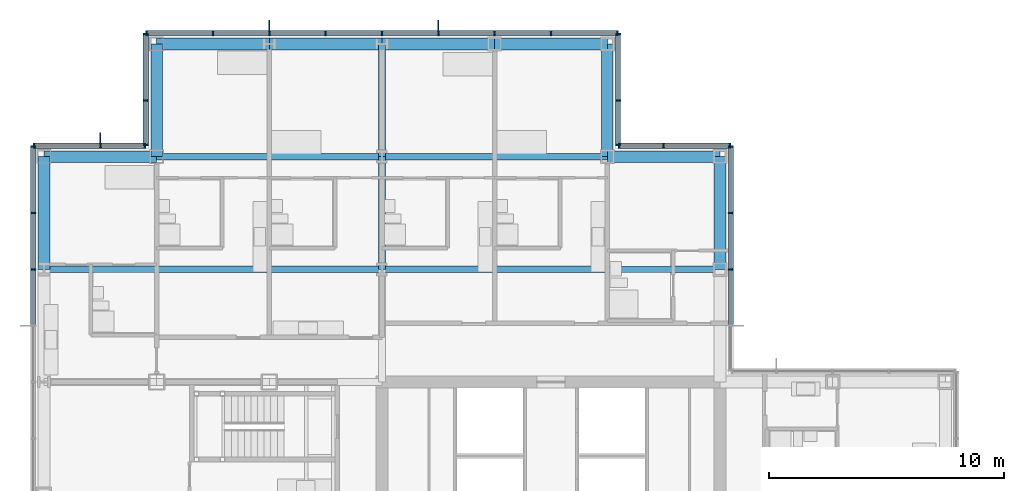
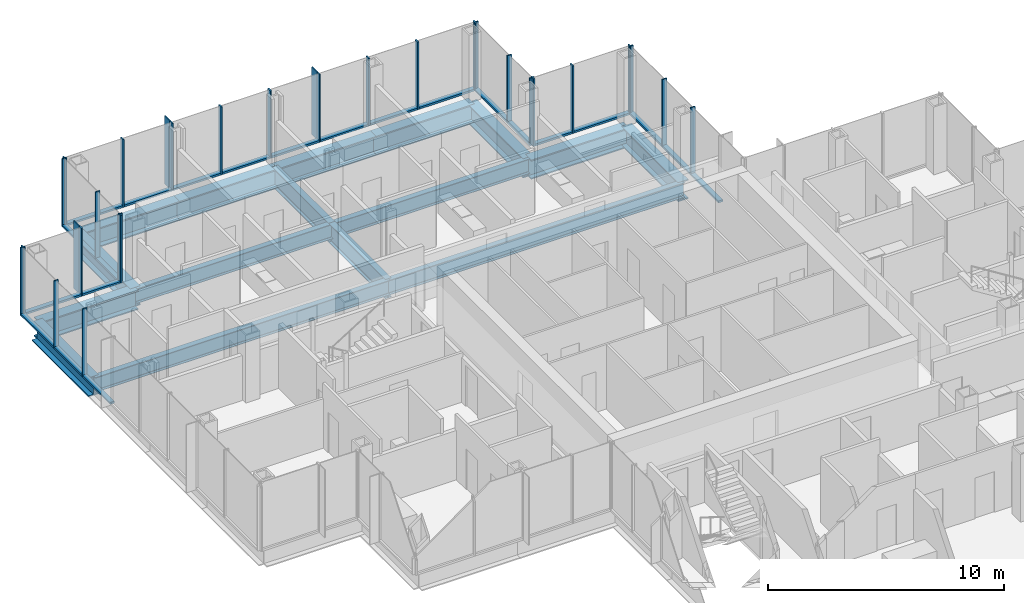
# One storey, part 10 of 19: 52 members, 16 beams, 7 elements without a shape of their own.
"""IFC4 building model written with IfcOpenShell, lengths in metres."""

from ifc_helpers import new_model, si_unit, direction, frame, origin, origin_2d, place, context, subcontext, project, spatial, rectangle, i_section, extrude, material, material_profile, profile_set, type_object, element, aggregate, save


model = new_model("IFC4")

# Units and contexts
model_context = context("Model", 3, precision=1e-05, world=origin(), true_north=direction((0.0, 1.0)))
body_context = subcontext(model_context, "Body", "Model", "MODEL_VIEW")
ifc_project = project(units=[si_unit("LENGTHUNIT", "METRE"), si_unit("AREAUNIT", "SQUARE_METRE"), si_unit("VOLUMEUNIT", "CUBIC_METRE"), si_unit("PLANEANGLEUNIT", "RADIAN"), si_unit("MASSUNIT", "GRAM", prefix="KILO")], contexts=[model_context])

# Site, building, storey
site_placement = place(None, origin())
site = spatial("IfcSite", under=ifc_project, at=site_placement, CompositionType="ELEMENT")
building_placement = place(site_placement, origin())
building = spatial("IfcBuilding", under=site, at=building_placement, Name="Kvirike Care Tower", CompositionType="ELEMENT")
storey_placement = place(building_placement, frame((0.0, 0.0, 87.5)))
storey = spatial("IfcBuildingStorey", under=building, at=storey_placement, Name="L23", CompositionType="ELEMENT", Elevation=87.5)

# Curtain wall, members
ifc_material_1 = material(Name="Anodised aluminium stick system", Category="aluminium")
curtain_wall_type = type_object("IfcCurtainWallType", Name="CW-B STICK CURTAIN WALL", PredefinedType="NOTDEFINED", material=ifc_material_1)
curtain_wall_1_placement = place(storey_placement, origin())
curtain_wall_1 = element("IfcCurtainWall", 1, at=curtain_wall_1_placement, inside=storey, type_object=curtain_wall_type, Name="Curtain wall L23 face 8", PredefinedType="NOTDEFINED")
ifc_material_2 = material(Name="Bronze anodised aluminium fin", Category="aluminium")
ifc_material_profile_1 = material_profile(ifc_material_2, rectangle(XDim=0.050048828125, YDim=0.449951171875, at=origin_2d()), Name="BRONZE FIN 450")
ifc_profile_set_1 = profile_set([ifc_material_profile_1], Name="Bronze anodised aluminium fin")
member_type_1 = type_object("IfcMemberType", Name="BRONZE FIN 450", PredefinedType="USERDEFINED", material=ifc_profile_set_1)
member_1_placement = place(storey_placement, frame((16.800048828125, 58.39501953125, 0.0), z_axis=(0.0, 0.0, 1.0), x_axis=(-1.0, 0.0, 0.0)))
member_1 = element("IfcMember", 2, at=member_1_placement, type_object=member_type_1, Name="Bronze fin L23 face 8.4", ObjectType="FIN", PredefinedType="USERDEFINED", context=body_context, shape_type="SweptSolid", body=[
    extrude(rectangle(XDim=0.050048828125, YDim=0.449951171875, at=origin_2d()), origin(), (0.0, 0.0, 1.0), 3.5),
])
member_2_placement = place(storey_placement, frame((9.60009765625, 58.39501953125, 0.0), z_axis=(0.0, 0.0, 1.0), x_axis=(-1.0, 0.0, 0.0)))
member_2 = element("IfcMember", 3, at=member_2_placement, type_object=member_type_1, Name="Bronze fin L23 face 8.7", ObjectType="FIN", PredefinedType="USERDEFINED", context=body_context, shape_type="SweptSolid", body=[
    extrude(rectangle(XDim=0.050048828125, YDim=0.449951171875, at=origin_2d()), origin(), (0.0, 0.0, 1.0), 3.5),
])

# Curtain wall, member
curtain_wall_2_placement = place(storey_placement, origin())
curtain_wall_2 = element("IfcCurtainWall", 4, at=curtain_wall_2_placement, inside=storey, type_object=curtain_wall_type, Name="Curtain wall L23 face 10", PredefinedType="NOTDEFINED")
member_3_placement = place(storey_placement, frame((2.39990234375, 53.594970703125, 0.0), z_axis=(0.0, 0.0, 1.0), x_axis=(-1.0, 0.0, 0.0)))
member_3 = element("IfcMember", 5, at=member_3_placement, type_object=member_type_1, Name="Bronze fin L23 face 10.2", ObjectType="FIN", PredefinedType="USERDEFINED", context=body_context, shape_type="SweptSolid", body=[
    extrude(rectangle(XDim=0.050048828125, YDim=0.449951171875, at=origin_2d()), origin(), (0.0, 0.0, 1.0), 3.5),
])

# Curtain wall, members
curtain_wall_3_placement = place(storey_placement, origin())
curtain_wall_3 = element("IfcCurtainWall", 6, at=curtain_wall_3_placement, inside=storey, type_object=curtain_wall_type, Name="Curtain wall L23 face 5", PredefinedType="NOTDEFINED")
ifc_material_3 = material(Name="Bronze anodised aluminium mullion", Category="aluminium")
ifc_material_profile_2 = material_profile(ifc_material_3, rectangle(XDim=0.06494140625, YDim=0.219970703125, at=origin_2d()), Name="CW-B MULLION 65x220")
ifc_profile_set_2 = profile_set([ifc_material_profile_2], Name="Bronze anodised aluminium mullion")
member_type_2 = type_object("IfcMemberType", Name="CW-B MULLION 65x220", PredefinedType="MULLION", material=ifc_profile_set_2)
member_4_placement = place(storey_placement, frame((29.260009765625, 48.0, 0.0), z_axis=(0.0, 0.0, 1.0), x_axis=(0.0, 1.0, 0.0)))
member_4 = element("IfcMember", 7, at=member_4_placement, type_object=member_type_2, Name="CW-B mullion L23 face 5.3", PredefinedType="MULLION", context=body_context, shape_type="SweptSolid", body=[
    extrude(rectangle(XDim=0.06494140625, YDim=0.219970703125, at=origin_2d()), origin(), (0.0, 0.0, 1.0), 3.5),
])
member_5_placement = place(storey_placement, frame((29.260009765625, 50.39990234375, 0.0), z_axis=(0.0, 0.0, 1.0), x_axis=(0.0, 1.0, 0.0)))
member_5 = element("IfcMember", 8, at=member_5_placement, type_object=member_type_2, Name="CW-B mullion L23 face 5.4", PredefinedType="MULLION", context=body_context, shape_type="SweptSolid", body=[
    extrude(rectangle(XDim=0.06494140625, YDim=0.219970703125, at=origin_2d()), origin(), (0.0, 0.0, 1.0), 3.5),
])
member_6_placement = place(storey_placement, frame((29.260009765625, 53.2275390625, 0.0), z_axis=(0.0, 0.0, 1.0), x_axis=(0.0, 1.0, 0.0)))
member_6 = element("IfcMember", 9, at=member_6_placement, type_object=member_type_2, Name="CW-B mullion L23 face 5.5", PredefinedType="MULLION", context=body_context, shape_type="SweptSolid", body=[
    extrude(rectangle(XDim=0.06494140625, YDim=0.219970703125, at=origin_2d()), origin(), (0.0, 0.0, 1.0), 3.5),
])

curtain_wall_4_placement = place(storey_placement, origin())
curtain_wall_4 = element("IfcCurtainWall", 10, at=curtain_wall_4_placement, inside=storey, type_object=curtain_wall_type, Name="Curtain wall L23 face 6", PredefinedType="NOTDEFINED")
member_7_placement = place(storey_placement, frame((29.2275390625, 53.260009765625, 0.0), z_axis=(0.0, 0.0, 1.0), x_axis=(-1.0, 0.0, 0.0)))
member_7 = element("IfcMember", 11, at=member_7_placement, type_object=member_type_2, Name="CW-B mullion L23 face 6.1", PredefinedType="MULLION", context=body_context, shape_type="SweptSolid", body=[
    extrude(rectangle(XDim=0.06494140625, YDim=0.219970703125, at=origin_2d()), origin(), (0.0, 0.0, 1.0), 3.5),
])
member_8_placement = place(storey_placement, frame((26.39990234375, 53.260009765625, 0.0), z_axis=(0.0, 0.0, 1.0), x_axis=(-1.0, 0.0, 0.0)))
member_8 = element("IfcMember", 12, at=member_8_placement, type_object=member_type_2, Name="CW-B mullion L23 face 6.2", PredefinedType="MULLION", context=body_context, shape_type="SweptSolid", body=[
    extrude(rectangle(XDim=0.06494140625, YDim=0.219970703125, at=origin_2d()), origin(), (0.0, 0.0, 1.0), 3.5),
])
member_9_placement = place(storey_placement, frame((24.492431640625, 53.260009765625, 0.0), z_axis=(0.0, 0.0, 1.0), x_axis=(-1.0, 0.0, 0.0)))
member_9 = element("IfcMember", 13, at=member_9_placement, type_object=member_type_2, Name="CW-B mullion L23 face 6.3", PredefinedType="MULLION", context=body_context, shape_type="SweptSolid", body=[
    extrude(rectangle(XDim=0.06494140625, YDim=0.219970703125, at=origin_2d()), origin(), (0.0, 0.0, 1.0), 3.5),
])

curtain_wall_5_placement = place(storey_placement, origin())
curtain_wall_5 = element("IfcCurtainWall", 14, at=curtain_wall_5_placement, inside=storey, type_object=curtain_wall_type, Name="Curtain wall L23 face 7", PredefinedType="NOTDEFINED")
member_10_placement = place(storey_placement, frame((24.4599609375, 53.29248046875, 0.0), z_axis=(0.0, 0.0, 1.0), x_axis=(0.0, 1.0, 0.0)))
member_10 = element("IfcMember", 15, at=member_10_placement, type_object=member_type_2, Name="CW-B mullion L23 face 7.1", PredefinedType="MULLION", context=body_context, shape_type="SweptSolid", body=[
    extrude(rectangle(XDim=0.06494140625, YDim=0.219970703125, at=origin_2d()), origin(), (0.0, 0.0, 1.0), 3.5),
])
member_11_placement = place(storey_placement, frame((24.4599609375, 55.199951171875, 0.0), z_axis=(0.0, 0.0, 1.0), x_axis=(0.0, 1.0, 0.0)))
member_11 = element("IfcMember", 16, at=member_11_placement, type_object=member_type_2, Name="CW-B mullion L23 face 7.2", PredefinedType="MULLION", context=body_context, shape_type="SweptSolid", body=[
    extrude(rectangle(XDim=0.06494140625, YDim=0.219970703125, at=origin_2d()), origin(), (0.0, 0.0, 1.0), 3.5),
])
member_12_placement = place(storey_placement, frame((24.4599609375, 58.027587890625, 0.0), z_axis=(0.0, 0.0, 1.0), x_axis=(0.0, 1.0, 0.0)))
member_12 = element("IfcMember", 17, at=member_12_placement, type_object=member_type_2, Name="CW-B mullion L23 face 7.3", PredefinedType="MULLION", context=body_context, shape_type="SweptSolid", body=[
    extrude(rectangle(XDim=0.06494140625, YDim=0.219970703125, at=origin_2d()), origin(), (0.0, 0.0, 1.0), 3.5),
])

# Member
member_13_placement = place(storey_placement, frame((24.427490234375, 58.06005859375, 0.0), z_axis=(0.0, 0.0, 1.0), x_axis=(-1.0, 0.0, 0.0)))
member_13 = element("IfcMember", 18, at=member_13_placement, type_object=member_type_2, Name="CW-B mullion L23 face 8.1", PredefinedType="MULLION", context=body_context, shape_type="SweptSolid", body=[
    extrude(rectangle(XDim=0.06494140625, YDim=0.219970703125, at=origin_2d()), origin(), (0.0, 0.0, 1.0), 3.5),
])

member_14_placement = place(storey_placement, frame((21.60009765625, 58.06005859375, 0.0), z_axis=(0.0, 0.0, 1.0), x_axis=(-1.0, 0.0, 0.0)))
member_14 = element("IfcMember", 19, at=member_14_placement, type_object=member_type_2, Name="CW-B mullion L23 face 8.2", PredefinedType="MULLION", context=body_context, shape_type="SweptSolid", body=[
    extrude(rectangle(XDim=0.06494140625, YDim=0.219970703125, at=origin_2d()), origin(), (0.0, 0.0, 1.0), 3.5),
])

member_15_placement = place(storey_placement, frame((19.199951171875, 58.06005859375, 0.0), z_axis=(0.0, 0.0, 1.0), x_axis=(-1.0, 0.0, 0.0)))
member_15 = element("IfcMember", 20, at=member_15_placement, type_object=member_type_2, Name="CW-B mullion L23 face 8.3", PredefinedType="MULLION", context=body_context, shape_type="SweptSolid", body=[
    extrude(rectangle(XDim=0.06494140625, YDim=0.219970703125, at=origin_2d()), origin(), (0.0, 0.0, 1.0), 3.5),
])

member_16_placement = place(storey_placement, frame((16.800048828125, 58.06005859375, 0.0), z_axis=(0.0, 0.0, 1.0), x_axis=(-1.0, 0.0, 0.0)))
member_16 = element("IfcMember", 21, at=member_16_placement, type_object=member_type_2, Name="CW-B mullion L23 face 8.4", PredefinedType="MULLION", context=body_context, shape_type="SweptSolid", body=[
    extrude(rectangle(XDim=0.06494140625, YDim=0.219970703125, at=origin_2d()), origin(), (0.0, 0.0, 1.0), 3.5),
])

member_17_placement = place(storey_placement, frame((14.39990234375, 58.06005859375, 0.0), z_axis=(0.0, 0.0, 1.0), x_axis=(-1.0, 0.0, 0.0)))
member_17 = element("IfcMember", 22, at=member_17_placement, type_object=member_type_2, Name="CW-B mullion L23 face 8.5", PredefinedType="MULLION", context=body_context, shape_type="SweptSolid", body=[
    extrude(rectangle(XDim=0.06494140625, YDim=0.219970703125, at=origin_2d()), origin(), (0.0, 0.0, 1.0), 3.5),
])

member_18_placement = place(storey_placement, frame((12.0, 58.06005859375, 0.0), z_axis=(0.0, 0.0, 1.0), x_axis=(-1.0, 0.0, 0.0)))
member_18 = element("IfcMember", 23, at=member_18_placement, type_object=member_type_2, Name="CW-B mullion L23 face 8.6", PredefinedType="MULLION", context=body_context, shape_type="SweptSolid", body=[
    extrude(rectangle(XDim=0.06494140625, YDim=0.219970703125, at=origin_2d()), origin(), (0.0, 0.0, 1.0), 3.5),
])

member_19_placement = place(storey_placement, frame((9.60009765625, 58.06005859375, 0.0), z_axis=(0.0, 0.0, 1.0), x_axis=(-1.0, 0.0, 0.0)))
member_19 = element("IfcMember", 24, at=member_19_placement, type_object=member_type_2, Name="CW-B mullion L23 face 8.7", PredefinedType="MULLION", context=body_context, shape_type="SweptSolid", body=[
    extrude(rectangle(XDim=0.06494140625, YDim=0.219970703125, at=origin_2d()), origin(), (0.0, 0.0, 1.0), 3.5),
])

member_20_placement = place(storey_placement, frame((7.199951171875, 58.06005859375, 0.0), z_axis=(0.0, 0.0, 1.0), x_axis=(-1.0, 0.0, 0.0)))
member_20 = element("IfcMember", 25, at=member_20_placement, type_object=member_type_2, Name="CW-B mullion L23 face 8.8", PredefinedType="MULLION", context=body_context, shape_type="SweptSolid", body=[
    extrude(rectangle(XDim=0.06494140625, YDim=0.219970703125, at=origin_2d()), origin(), (0.0, 0.0, 1.0), 3.5),
])

member_21_placement = place(storey_placement, frame((4.37255859375, 58.06005859375, 0.0), z_axis=(0.0, 0.0, 1.0), x_axis=(-1.0, 0.0, 0.0)))
member_21 = element("IfcMember", 26, at=member_21_placement, type_object=member_type_2, Name="CW-B mullion L23 face 8.9", PredefinedType="MULLION", context=body_context, shape_type="SweptSolid", body=[
    extrude(rectangle(XDim=0.06494140625, YDim=0.219970703125, at=origin_2d()), origin(), (0.0, 0.0, 1.0), 3.5),
])

# Curtain wall, members
curtain_wall_6_placement = place(storey_placement, origin())
curtain_wall_6 = element("IfcCurtainWall", 27, at=curtain_wall_6_placement, inside=storey, type_object=curtain_wall_type, Name="Curtain wall L23 face 9", PredefinedType="NOTDEFINED")
member_22_placement = place(storey_placement, frame((4.340087890625, 58.027587890625, 0.0), z_axis=(0.0, 0.0, 1.0), x_axis=(0.0, -1.0, 0.0)))
member_22 = element("IfcMember", 28, at=member_22_placement, type_object=member_type_2, Name="CW-B mullion L23 face 9.1", PredefinedType="MULLION", context=body_context, shape_type="SweptSolid", body=[
    extrude(rectangle(XDim=0.06494140625, YDim=0.219970703125, at=origin_2d()), origin(), (0.0, 0.0, 1.0), 3.5),
])
member_23_placement = place(storey_placement, frame((4.340087890625, 55.199951171875, 0.0), z_axis=(0.0, 0.0, 1.0), x_axis=(0.0, -1.0, 0.0)))
member_23 = element("IfcMember", 29, at=member_23_placement, type_object=member_type_2, Name="CW-B mullion L23 face 9.2", PredefinedType="MULLION", context=body_context, shape_type="SweptSolid", body=[
    extrude(rectangle(XDim=0.06494140625, YDim=0.219970703125, at=origin_2d()), origin(), (0.0, 0.0, 1.0), 3.5),
])
member_24_placement = place(storey_placement, frame((4.340087890625, 53.29248046875, 0.0), z_axis=(0.0, 0.0, 1.0), x_axis=(0.0, -1.0, 0.0)))
member_24 = element("IfcMember", 30, at=member_24_placement, type_object=member_type_2, Name="CW-B mullion L23 face 9.3", PredefinedType="MULLION", context=body_context, shape_type="SweptSolid", body=[
    extrude(rectangle(XDim=0.06494140625, YDim=0.219970703125, at=origin_2d()), origin(), (0.0, 0.0, 1.0), 3.5),
])

# Member
member_25_placement = place(storey_placement, frame((4.3076171875, 53.260009765625, 0.0), z_axis=(0.0, 0.0, 1.0), x_axis=(-1.0, 0.0, 0.0)))
member_25 = element("IfcMember", 31, at=member_25_placement, type_object=member_type_2, Name="CW-B mullion L23 face 10.1", PredefinedType="MULLION", context=body_context, shape_type="SweptSolid", body=[
    extrude(rectangle(XDim=0.06494140625, YDim=0.219970703125, at=origin_2d()), origin(), (0.0, 0.0, 1.0), 3.5),
])

member_26_placement = place(storey_placement, frame((2.39990234375, 53.260009765625, 0.0), z_axis=(0.0, 0.0, 1.0), x_axis=(-1.0, 0.0, 0.0)))
member_26 = element("IfcMember", 32, at=member_26_placement, type_object=member_type_2, Name="CW-B mullion L23 face 10.2", PredefinedType="MULLION", context=body_context, shape_type="SweptSolid", body=[
    extrude(rectangle(XDim=0.06494140625, YDim=0.219970703125, at=origin_2d()), origin(), (0.0, 0.0, 1.0), 3.5),
])

member_27_placement = place(storey_placement, frame((-0.427490234375, 53.260009765625, 0.0), z_axis=(0.0, 0.0, 1.0), x_axis=(-1.0, 0.0, 0.0)))
member_27 = element("IfcMember", 33, at=member_27_placement, type_object=member_type_2, Name="CW-B mullion L23 face 10.3", PredefinedType="MULLION", context=body_context, shape_type="SweptSolid", body=[
    extrude(rectangle(XDim=0.06494140625, YDim=0.219970703125, at=origin_2d()), origin(), (0.0, 0.0, 1.0), 3.5),
])

# Curtain wall, members
curtain_wall_7_placement = place(storey_placement, origin())
curtain_wall_7 = element("IfcCurtainWall", 34, at=curtain_wall_7_placement, inside=storey, type_object=curtain_wall_type, Name="Curtain wall L23 face 11", PredefinedType="NOTDEFINED")
member_28_placement = place(storey_placement, frame((-0.4599609375, 53.2275390625, 0.0), z_axis=(0.0, 0.0, 1.0), x_axis=(0.0, -1.0, 0.0)))
member_28 = element("IfcMember", 35, at=member_28_placement, type_object=member_type_2, Name="CW-B mullion L23 face 11.1", PredefinedType="MULLION", context=body_context, shape_type="SweptSolid", body=[
    extrude(rectangle(XDim=0.06494140625, YDim=0.219970703125, at=origin_2d()), origin(), (0.0, 0.0, 1.0), 3.5),
])
member_29_placement = place(storey_placement, frame((-0.4599609375, 50.39990234375, 0.0), z_axis=(0.0, 0.0, 1.0), x_axis=(0.0, -1.0, 0.0)))
member_29 = element("IfcMember", 36, at=member_29_placement, type_object=member_type_2, Name="CW-B mullion L23 face 11.2", PredefinedType="MULLION", context=body_context, shape_type="SweptSolid", body=[
    extrude(rectangle(XDim=0.06494140625, YDim=0.219970703125, at=origin_2d()), origin(), (0.0, 0.0, 1.0), 3.5),
])
member_30_placement = place(storey_placement, frame((-0.4599609375, 48.0, 0.0), z_axis=(0.0, 0.0, 1.0), x_axis=(0.0, -1.0, 0.0)))
member_30 = element("IfcMember", 37, at=member_30_placement, type_object=member_type_2, Name="CW-B mullion L23 face 11.3", PredefinedType="MULLION", context=body_context, shape_type="SweptSolid", body=[
    extrude(rectangle(XDim=0.06494140625, YDim=0.219970703125, at=origin_2d()), origin(), (0.0, 0.0, 1.0), 3.5),
])

# Member
ifc_material_4 = material(Name="Bronze anodised aluminium transom", Category="aluminium")
ifc_material_profile_3 = material_profile(ifc_material_4, rectangle(XDim=0.219970703125, YDim=0.10009765625, at=origin_2d()), Name="CW-B TRANSOM 220x100")
ifc_profile_set_3 = profile_set([ifc_material_profile_3], Name="Bronze anodised aluminium transom")
member_type_3 = type_object("IfcMemberType", Name="CW-B TRANSOM 220x100", PredefinedType="USERDEFINED", material=ifc_profile_set_3)
member_31_placement = place(storey_placement, frame((29.260009765625, 45.632568359375, 0.050048828125), z_axis=(0.0, 1.0, 0.0), x_axis=(-1.0, 0.0, 0.0)))
member_31 = element("IfcMember", 38, at=member_31_placement, type_object=member_type_3, Name="CW-B sill transom L23 face 5.2", ObjectType="TRANSOM", PredefinedType="USERDEFINED", context=body_context, shape_type="SweptSolid", body=[
    extrude(rectangle(XDim=0.219970703125, YDim=0.10009765625, at=origin_2d()), origin(), (0.0, 0.0, 1.0), 2.3349609375),
])

member_32_placement = place(storey_placement, frame((29.260009765625, 48.032470703125, 0.050048828125), z_axis=(0.0, 1.0, 0.0), x_axis=(-1.0, 0.0, 0.0)))
member_32 = element("IfcMember", 39, at=member_32_placement, type_object=member_type_3, Name="CW-B sill transom L23 face 5.3", ObjectType="TRANSOM", PredefinedType="USERDEFINED", context=body_context, shape_type="SweptSolid", body=[
    extrude(rectangle(XDim=0.219970703125, YDim=0.10009765625, at=origin_2d()), origin(), (0.0, 0.0, 1.0), 2.3349609375),
])

member_33_placement = place(storey_placement, frame((29.260009765625, 50.4326171875, 0.050048828125), z_axis=(0.0, 1.0, 0.0), x_axis=(-1.0, 0.0, 0.0)))
member_33 = element("IfcMember", 40, at=member_33_placement, type_object=member_type_3, Name="CW-B sill transom L23 face 5.4", ObjectType="TRANSOM", PredefinedType="USERDEFINED", context=body_context, shape_type="SweptSolid", body=[
    extrude(rectangle(XDim=0.219970703125, YDim=0.10009765625, at=origin_2d()), origin(), (0.0, 0.0, 1.0), 2.762451171875),
])

aggregate(curtain_wall_3, [member_4, member_5, member_6, member_31, member_32, member_33])

member_34_placement = place(storey_placement, frame((29.195068359375, 53.260009765625, 0.050048828125), z_axis=(-1.0, 0.0, 0.0), x_axis=(0.0, -1.0, 0.0)))
member_34 = element("IfcMember", 41, at=member_34_placement, type_object=member_type_3, Name="CW-B sill transom L23 face 6.1", ObjectType="TRANSOM", PredefinedType="USERDEFINED", context=body_context, shape_type="SweptSolid", body=[
    extrude(rectangle(XDim=0.219970703125, YDim=0.10009765625, at=origin_2d()), origin(), (0.0, 0.0, 1.0), 2.762451171875),
])

member_35_placement = place(storey_placement, frame((26.367431640625, 53.260009765625, 0.050048828125), z_axis=(-1.0, 0.0, 0.0), x_axis=(0.0, -1.0, 0.0)))
member_35 = element("IfcMember", 42, at=member_35_placement, type_object=member_type_3, Name="CW-B sill transom L23 face 6.2", ObjectType="TRANSOM", PredefinedType="USERDEFINED", context=body_context, shape_type="SweptSolid", body=[
    extrude(rectangle(XDim=0.219970703125, YDim=0.10009765625, at=origin_2d()), origin(), (0.0, 0.0, 1.0), 1.842529296875),
])

aggregate(curtain_wall_4, [member_7, member_8, member_9, member_34, member_35])

member_36_placement = place(storey_placement, frame((24.4599609375, 53.324951171875, 0.050048828125), z_axis=(0.0, 1.0, 0.0), x_axis=(-1.0, 0.0, 0.0)))
member_36 = element("IfcMember", 43, at=member_36_placement, type_object=member_type_3, Name="CW-B sill transom L23 face 7.1", ObjectType="TRANSOM", PredefinedType="USERDEFINED", context=body_context, shape_type="SweptSolid", body=[
    extrude(rectangle(XDim=0.219970703125, YDim=0.10009765625, at=origin_2d()), origin(), (0.0, 0.0, 1.0), 1.842529296875),
])

member_37_placement = place(storey_placement, frame((24.4599609375, 55.232421875, 0.050048828125), z_axis=(0.0, 1.0, 0.0), x_axis=(-1.0, 0.0, 0.0)))
member_37 = element("IfcMember", 44, at=member_37_placement, type_object=member_type_3, Name="CW-B sill transom L23 face 7.2", ObjectType="TRANSOM", PredefinedType="USERDEFINED", context=body_context, shape_type="SweptSolid", body=[
    extrude(rectangle(XDim=0.219970703125, YDim=0.10009765625, at=origin_2d()), origin(), (0.0, 0.0, 1.0), 2.7626953125),
])

aggregate(curtain_wall_5, [member_10, member_11, member_12, member_36, member_37])

member_38_placement = place(storey_placement, frame((24.39501953125, 58.06005859375, 0.050048828125), z_axis=(-1.0, 0.0, 0.0), x_axis=(0.0, -1.0, 0.0)))
member_38 = element("IfcMember", 45, at=member_38_placement, type_object=member_type_3, Name="CW-B sill transom L23 face 8.1", ObjectType="TRANSOM", PredefinedType="USERDEFINED", context=body_context, shape_type="SweptSolid", body=[
    extrude(rectangle(XDim=0.219970703125, YDim=0.10009765625, at=origin_2d()), origin(), (0.0, 0.0, 1.0), 2.762451171875),
])

member_39_placement = place(storey_placement, frame((21.5673828125, 58.06005859375, 0.050048828125), z_axis=(-1.0, 0.0, 0.0), x_axis=(0.0, -1.0, 0.0)))
member_39 = element("IfcMember", 46, at=member_39_placement, type_object=member_type_3, Name="CW-B sill transom L23 face 8.2", ObjectType="TRANSOM", PredefinedType="USERDEFINED", context=body_context, shape_type="SweptSolid", body=[
    extrude(rectangle(XDim=0.219970703125, YDim=0.10009765625, at=origin_2d()), origin(), (0.0, 0.0, 1.0), 2.3349609375),
])

member_40_placement = place(storey_placement, frame((19.16748046875, 58.06005859375, 0.050048828125), z_axis=(-1.0, 0.0, 0.0), x_axis=(0.0, -1.0, 0.0)))
member_40 = element("IfcMember", 47, at=member_40_placement, type_object=member_type_3, Name="CW-B sill transom L23 face 8.3", ObjectType="TRANSOM", PredefinedType="USERDEFINED", context=body_context, shape_type="SweptSolid", body=[
    extrude(rectangle(XDim=0.219970703125, YDim=0.10009765625, at=origin_2d()), origin(), (0.0, 0.0, 1.0), 2.3349609375),
])

member_41_placement = place(storey_placement, frame((16.767578125, 58.06005859375, 0.050048828125), z_axis=(-1.0, 0.0, 0.0), x_axis=(0.0, -1.0, 0.0)))
member_41 = element("IfcMember", 48, at=member_41_placement, type_object=member_type_3, Name="CW-B sill transom L23 face 8.4", ObjectType="TRANSOM", PredefinedType="USERDEFINED", context=body_context, shape_type="SweptSolid", body=[
    extrude(rectangle(XDim=0.219970703125, YDim=0.10009765625, at=origin_2d()), origin(), (0.0, 0.0, 1.0), 2.3349609375),
])

member_42_placement = place(storey_placement, frame((14.367431640625, 58.06005859375, 0.050048828125), z_axis=(-1.0, 0.0, 0.0), x_axis=(0.0, -1.0, 0.0)))
member_42 = element("IfcMember", 49, at=member_42_placement, type_object=member_type_3, Name="CW-B sill transom L23 face 8.5", ObjectType="TRANSOM", PredefinedType="USERDEFINED", context=body_context, shape_type="SweptSolid", body=[
    extrude(rectangle(XDim=0.219970703125, YDim=0.10009765625, at=origin_2d()), origin(), (0.0, 0.0, 1.0), 2.3349609375),
])

member_43_placement = place(storey_placement, frame((11.967529296875, 58.06005859375, 0.050048828125), z_axis=(-1.0, 0.0, 0.0), x_axis=(0.0, -1.0, 0.0)))
member_43 = element("IfcMember", 50, at=member_43_placement, type_object=member_type_3, Name="CW-B sill transom L23 face 8.6", ObjectType="TRANSOM", PredefinedType="USERDEFINED", context=body_context, shape_type="SweptSolid", body=[
    extrude(rectangle(XDim=0.219970703125, YDim=0.10009765625, at=origin_2d()), origin(), (0.0, 0.0, 1.0), 2.3349609375),
])

member_44_placement = place(storey_placement, frame((9.5673828125, 58.06005859375, 0.050048828125), z_axis=(-1.0, 0.0, 0.0), x_axis=(0.0, -1.0, 0.0)))
member_44 = element("IfcMember", 51, at=member_44_placement, type_object=member_type_3, Name="CW-B sill transom L23 face 8.7", ObjectType="TRANSOM", PredefinedType="USERDEFINED", context=body_context, shape_type="SweptSolid", body=[
    extrude(rectangle(XDim=0.219970703125, YDim=0.10009765625, at=origin_2d()), origin(), (0.0, 0.0, 1.0), 2.3349609375),
])

member_45_placement = place(storey_placement, frame((7.16748046875, 58.06005859375, 0.050048828125), z_axis=(-1.0, 0.0, 0.0), x_axis=(0.0, -1.0, 0.0)))
member_45 = element("IfcMember", 52, at=member_45_placement, type_object=member_type_3, Name="CW-B sill transom L23 face 8.8", ObjectType="TRANSOM", PredefinedType="USERDEFINED", context=body_context, shape_type="SweptSolid", body=[
    extrude(rectangle(XDim=0.219970703125, YDim=0.10009765625, at=origin_2d()), origin(), (0.0, 0.0, 1.0), 2.762451171875),
])

aggregate(curtain_wall_1, [member_13, member_14, member_15, member_16, member_1, member_17, member_18, member_19, member_2, member_20, member_21, member_38, member_39, member_40, member_41, member_42, member_43, member_44, member_45])

member_46_placement = place(storey_placement, frame((4.340087890625, 57.9951171875, 0.050048828125), z_axis=(0.0, -1.0, 0.0), x_axis=(1.0, 0.0, 0.0)))
member_46 = element("IfcMember", 53, at=member_46_placement, type_object=member_type_3, Name="CW-B sill transom L23 face 9.1", ObjectType="TRANSOM", PredefinedType="USERDEFINED", context=body_context, shape_type="SweptSolid", body=[
    extrude(rectangle(XDim=0.219970703125, YDim=0.10009765625, at=origin_2d()), origin(), (0.0, 0.0, 1.0), 2.7626953125),
])

member_47_placement = place(storey_placement, frame((4.340087890625, 55.16748046875, 0.050048828125), z_axis=(0.0, -1.0, 0.0), x_axis=(1.0, 0.0, 0.0)))
member_47 = element("IfcMember", 54, at=member_47_placement, type_object=member_type_3, Name="CW-B sill transom L23 face 9.2", ObjectType="TRANSOM", PredefinedType="USERDEFINED", context=body_context, shape_type="SweptSolid", body=[
    extrude(rectangle(XDim=0.219970703125, YDim=0.10009765625, at=origin_2d()), origin(), (0.0, 0.0, 1.0), 1.842529296875),
])

aggregate(curtain_wall_6, [member_22, member_23, member_24, member_46, member_47])

member_48_placement = place(storey_placement, frame((4.27490234375, 53.260009765625, 0.050048828125), z_axis=(-1.0, 0.0, 0.0), x_axis=(0.0, -1.0, 0.0)))
member_48 = element("IfcMember", 55, at=member_48_placement, type_object=member_type_3, Name="CW-B sill transom L23 face 10.1", ObjectType="TRANSOM", PredefinedType="USERDEFINED", context=body_context, shape_type="SweptSolid", body=[
    extrude(rectangle(XDim=0.219970703125, YDim=0.10009765625, at=origin_2d()), origin(), (0.0, 0.0, 1.0), 1.84228515625),
])

member_49_placement = place(storey_placement, frame((2.367431640625, 53.260009765625, 0.050048828125), z_axis=(-1.0, 0.0, 0.0), x_axis=(0.0, -1.0, 0.0)))
member_49 = element("IfcMember", 56, at=member_49_placement, type_object=member_type_3, Name="CW-B sill transom L23 face 10.2", ObjectType="TRANSOM", PredefinedType="USERDEFINED", context=body_context, shape_type="SweptSolid", body=[
    extrude(rectangle(XDim=0.219970703125, YDim=0.10009765625, at=origin_2d()), origin(), (0.0, 0.0, 1.0), 2.762451171875),
])

aggregate(curtain_wall_2, [member_25, member_26, member_3, member_27, member_48, member_49])

member_50_placement = place(storey_placement, frame((-0.4599609375, 53.195068359375, 0.050048828125), z_axis=(0.0, -1.0, 0.0), x_axis=(1.0, 0.0, 0.0)))
member_50 = element("IfcMember", 57, at=member_50_placement, type_object=member_type_3, Name="CW-B sill transom L23 face 11.1", ObjectType="TRANSOM", PredefinedType="USERDEFINED", context=body_context, shape_type="SweptSolid", body=[
    extrude(rectangle(XDim=0.219970703125, YDim=0.10009765625, at=origin_2d()), origin(), (0.0, 0.0, 1.0), 2.762451171875),
])

member_51_placement = place(storey_placement, frame((-0.4599609375, 50.367431640625, 0.050048828125), z_axis=(0.0, -1.0, 0.0), x_axis=(1.0, 0.0, 0.0)))
member_51 = element("IfcMember", 58, at=member_51_placement, type_object=member_type_3, Name="CW-B sill transom L23 face 11.2", ObjectType="TRANSOM", PredefinedType="USERDEFINED", context=body_context, shape_type="SweptSolid", body=[
    extrude(rectangle(XDim=0.219970703125, YDim=0.10009765625, at=origin_2d()), origin(), (0.0, 0.0, 1.0), 2.3349609375),
])

member_52_placement = place(storey_placement, frame((-0.4599609375, 47.967529296875, 0.050048828125), z_axis=(0.0, -1.0, 0.0), x_axis=(1.0, 0.0, 0.0)))
member_52 = element("IfcMember", 59, at=member_52_placement, type_object=member_type_3, Name="CW-B sill transom L23 face 11.3", ObjectType="TRANSOM", PredefinedType="USERDEFINED", context=body_context, shape_type="SweptSolid", body=[
    extrude(rectangle(XDim=0.219970703125, YDim=0.10009765625, at=origin_2d()), origin(), (0.0, 0.0, 1.0), 2.3349609375),
])

aggregate(curtain_wall_7, [member_28, member_29, member_30, member_50, member_51, member_52])

# Beams
ifc_material_5 = material(Name="Steel S355", Category="steel")
ifc_material_profile_4 = material_profile(ifc_material_5, i_section(OverallWidth=0.26806640625, OverallDepth=0.77001953125, WebThickness=0.015625, FlangeThickness=0.025390625, FilletRadius=0.01708984375, at=origin_2d()), Name="IPE 750x196")
ifc_profile_set_4 = profile_set([ifc_material_profile_4], Name="Steel S355")
beam_type_1 = type_object("IfcBeamType", Name="FLOOR BEAM IPE 750x196", PredefinedType="BEAM", material=ifc_profile_set_4)
beam_1_placement = place(storey_placement, frame((0.0, 48.0, -0.554931640625), z_axis=(1.0, 0.0, 0.0), x_axis=(0.0, 1.0, 0.0)))
element("IfcBeam", 60, at=beam_1_placement, inside=storey, type_object=beam_type_1, Name="Floor Beam L3-L6 L23", PredefinedType="BEAM", context=body_context, shape_type="SweptSolid", body=[
    extrude(i_section(OverallWidth=0.26806640625, OverallDepth=0.77001953125, WebThickness=0.015625, FlangeThickness=0.025390625, FilletRadius=0.01708984375, at=origin_2d()), origin(), (0.0, 0.0, 1.0), 14.39990234375),
])
beam_2_placement = place(storey_placement, frame((14.39990234375, 48.0, -0.554931640625), z_axis=(1.0, 0.0, 0.0), x_axis=(0.0, 1.0, 0.0)))
element("IfcBeam", 61, at=beam_2_placement, inside=storey, type_object=beam_type_1, Name="Floor Beam L6-L9 L23", PredefinedType="BEAM", context=body_context, shape_type="SweptSolid", body=[
    extrude(i_section(OverallWidth=0.26806640625, OverallDepth=0.77001953125, WebThickness=0.015625, FlangeThickness=0.025390625, FilletRadius=0.01708984375, at=origin_2d()), origin(), (0.0, 0.0, 1.0), 14.400146484375),
])
beam_3_placement = place(storey_placement, frame((4.800048828125, 52.800048828125, -0.554931640625), z_axis=(1.0, 0.0, 0.0), x_axis=(0.0, 1.0, 0.0)))
element("IfcBeam", 62, at=beam_3_placement, inside=storey, type_object=beam_type_1, Name="Floor Beam M4-M6 L23", PredefinedType="BEAM", context=body_context, shape_type="SweptSolid", body=[
    extrude(i_section(OverallWidth=0.26806640625, OverallDepth=0.77001953125, WebThickness=0.015625, FlangeThickness=0.025390625, FilletRadius=0.01708984375, at=origin_2d()), origin(), (0.0, 0.0, 1.0), 9.599853515625),
])
beam_4_placement = place(storey_placement, frame((14.39990234375, 52.800048828125, -0.554931640625), z_axis=(1.0, 0.0, 0.0), x_axis=(0.0, 1.0, 0.0)))
element("IfcBeam", 63, at=beam_4_placement, inside=storey, type_object=beam_type_1, Name="Floor Beam M6-M8 L23", PredefinedType="BEAM", context=body_context, shape_type="SweptSolid", body=[
    extrude(i_section(OverallWidth=0.26806640625, OverallDepth=0.77001953125, WebThickness=0.015625, FlangeThickness=0.025390625, FilletRadius=0.01708984375, at=origin_2d()), origin(), (0.0, 0.0, 1.0), 9.60009765625),
])
ifc_material_6 = material(Name="Steel S355", Category="steel")
ifc_material_profile_5 = material_profile(ifc_material_6, i_section(OverallWidth=0.300048828125, OverallDepth=1.0, WebThickness=0.01904296875, FlangeThickness=0.035888671875, FilletRadius=0.030029296875, at=origin_2d()), Name="HE 1000 B")
ifc_profile_set_5 = profile_set([ifc_material_profile_5], Name="Steel S355")
beam_type_2 = type_object("IfcBeamType", Name="FRAME BEAM HE 1000 B", PredefinedType="BEAM", material=ifc_profile_set_5)
for number, where, z_axis, x_axis, name in (
    (64, (14.39990234375, 48.0, -0.669921875), (0.0, 1.0, 0.0), (-1.0, 0.0, 0.0), "Frame Beam L6-M6 L23"),
    (65, (14.39990234375, 52.800048828125, -0.669921875), (0.0, 1.0, 0.0), (-1.0, 0.0, 0.0), "Frame Beam M6-N6 L23"),
):
    element("IfcBeam", number, at=place(storey_placement, frame(where, z_axis=z_axis, x_axis=x_axis)), inside=storey, type_object=beam_type_2, Name=name, PredefinedType="BEAM", context=body_context, shape_type="SweptSolid", body=[
        extrude(i_section(OverallWidth=0.300048828125, OverallDepth=1.0, WebThickness=0.01904296875, FlangeThickness=0.035888671875, FilletRadius=0.030029296875, at=origin_2d()), origin(), (0.0, 0.0, 1.0), 4.800048828125),
    ])
ifc_material_7 = material(Name="Steel S355", Category="steel")
ifc_material_profile_6 = material_profile(ifc_material_7, i_section(OverallWidth=0.5, OverallDepth=1.0, WebThickness=0.030029296875, FlangeThickness=0.06005859375, at=origin_2d()), Name="PG 1000x500x30x60")
ifc_profile_set_6 = profile_set([ifc_material_profile_6], Name="Steel S355")
beam_type_3 = type_object("IfcBeamType", Name="SPANDREL PG 1000x500x30x60", PredefinedType="SPANDREL", material=ifc_profile_set_6)
for number, where, z_axis, x_axis, name in (
    (66, (0.0, 52.800048828125, -0.669921875), (1.0, 0.0, 0.0), (0.0, 1.0, 0.0), "Spandrel M3-M4 L23"),
    (67, (24.0, 52.800048828125, -0.669921875), (1.0, 0.0, 0.0), (0.0, 1.0, 0.0), "Spandrel M8-M9 L23"),
    (68, (4.800048828125, 57.60009765625, -0.669921875), (1.0, 0.0, 0.0), (0.0, 1.0, 0.0), "Spandrel N4-N5 L23"),
):
    element("IfcBeam", number, at=place(storey_placement, frame(where, z_axis=z_axis, x_axis=x_axis)), inside=storey, type_object=beam_type_3, Name=name, PredefinedType="SPANDREL", context=body_context, shape_type="SweptSolid", body=[
        extrude(i_section(OverallWidth=0.5, OverallDepth=1.0, WebThickness=0.030029296875, FlangeThickness=0.06005859375, at=origin_2d()), origin(), (0.0, 0.0, 1.0), 4.800048828125),
    ])
beam_5_placement = place(storey_placement, frame((9.60009765625, 57.60009765625, -0.669921875), z_axis=(1.0, 0.0, 0.0), x_axis=(0.0, 1.0, 0.0)))
element("IfcBeam", 69, at=beam_5_placement, inside=storey, type_object=beam_type_3, Name="Spandrel N5-N6 L23", PredefinedType="SPANDREL", context=body_context, shape_type="SweptSolid", body=[
    extrude(i_section(OverallWidth=0.5, OverallDepth=1.0, WebThickness=0.030029296875, FlangeThickness=0.06005859375, at=origin_2d()), origin(), (0.0, 0.0, 1.0), 4.7998046875),
])
for number, where, z_axis, x_axis, name in (
    (70, (14.39990234375, 57.60009765625, -0.669921875), (1.0, 0.0, 0.0), (0.0, 1.0, 0.0), "Spandrel N6-N7 L23"),
    (71, (19.199951171875, 57.60009765625, -0.669921875), (1.0, 0.0, 0.0), (0.0, 1.0, 0.0), "Spandrel N7-N8 L23"),
    (72, (0.0, 48.0, -0.669921875), (0.0, 1.0, 0.0), (-1.0, 0.0, 0.0), "Spandrel L3-M3 L23"),
    (73, (4.800048828125, 52.800048828125, -0.669921875), (0.0, 1.0, 0.0), (-1.0, 0.0, 0.0), "Spandrel M4-N4 L23"),
    (74, (24.0, 52.800048828125, -0.669921875), (0.0, 1.0, 0.0), (-1.0, 0.0, 0.0), "Spandrel M8-N8 L23"),
    (75, (28.800048828125, 48.0, -0.669921875), (0.0, 1.0, 0.0), (-1.0, 0.0, 0.0), "Spandrel L9-M9 L23"),
):
    element("IfcBeam", number, at=place(storey_placement, frame(where, z_axis=z_axis, x_axis=x_axis)), inside=storey, type_object=beam_type_3, Name=name, PredefinedType="SPANDREL", context=body_context, shape_type="SweptSolid", body=[
        extrude(i_section(OverallWidth=0.5, OverallDepth=1.0, WebThickness=0.030029296875, FlangeThickness=0.06005859375, at=origin_2d()), origin(), (0.0, 0.0, 1.0), 4.800048828125),
    ])

save(model, "model.ifc")
